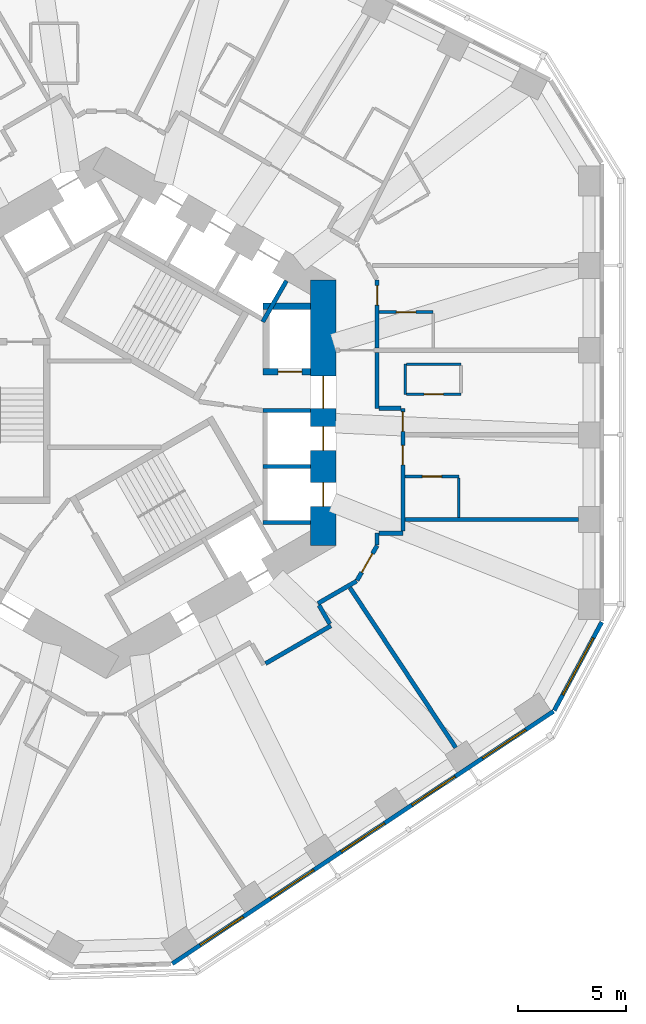
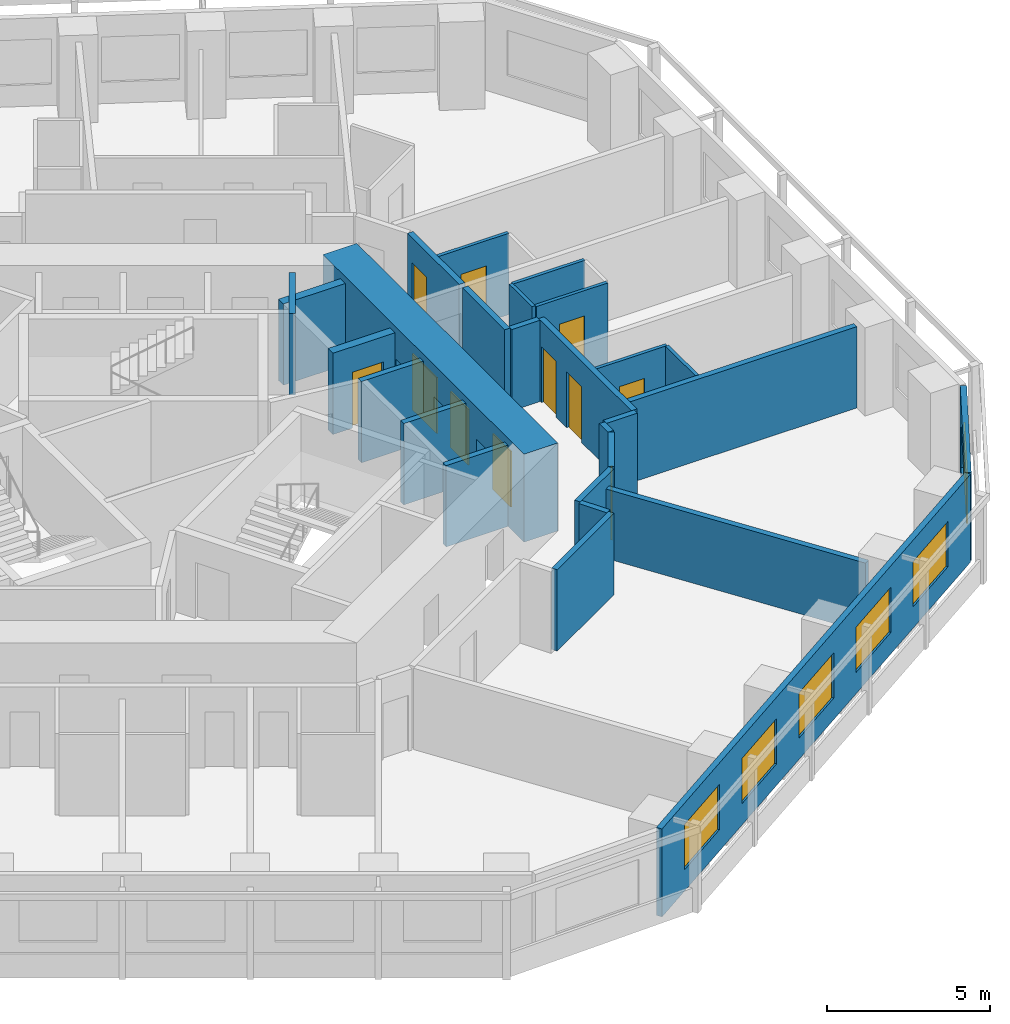
# One storey, part 6 of 12: 27 walls, 11 doors, 6 windows, 17 openings.
"""IFC4 building model written with IfcOpenShell, lengths in metres."""

from ifc_helpers import new_model, si_unit, direction, frame, frame_2d, origin, place, context, subcontext, project, spatial, rectangle, extrude, material, layer, layer_set, type_object, element, fill, save


model = new_model("IFC4")

# Units and contexts
model_context = context("Model", 3, precision=1e-05, world=origin(), true_north=direction((0.0, 1.0)))
body_context = subcontext(model_context, "Body", "Model", "MODEL_VIEW")
ifc_project = project(units=[si_unit("LENGTHUNIT", "METRE"), si_unit("AREAUNIT", "SQUARE_METRE"), si_unit("VOLUMEUNIT", "CUBIC_METRE"), si_unit("PLANEANGLEUNIT", "RADIAN"), si_unit("MASSUNIT", "GRAM", prefix="KILO")], contexts=[model_context])

# Site, building, storey
site_placement = place(None, origin())
site = spatial("IfcSite", under=ifc_project, at=site_placement, CompositionType="ELEMENT")
building_placement = place(site_placement, origin())
building = spatial("IfcBuilding", under=site, at=building_placement, Name="Vanh Sen Convention Tower", CompositionType="ELEMENT")
storey_placement = place(building_placement, frame((0.0, 0.0, 90.199951171875)))
storey = spatial("IfcBuildingStorey", under=building, at=storey_placement, Name="L20", CompositionType="ELEMENT", Elevation=90.199951171875)

# Wall, opening, door
ifc_material_1 = material(Name="Moisture-resistant gypsum board on steel studs", Category="steel")
ifc_layer_1 = layer(ifc_material_1, 0.1201171875)
ifc_layer_set_1 = layer_set([ifc_layer_1], Name="Moisture-resistant gypsum board on steel studs")
wall_type_1 = type_object("IfcWallType", Name="Bathroom partition 120", PredefinedType="PARTITIONING", material=ifc_layer_set_1)
wall_1_placement = place(storey_placement, frame((12.699951171875, 4.677490234375, 0.0), z_axis=(0.0, 0.0, 1.0), x_axis=(1.0, 0.0, 0.0)))
wall_1 = element("IfcWall", 1, at=wall_1_placement, inside=storey, type_object=wall_type_1, Name="Bathroom partition 120", PredefinedType="PARTITIONING", context=body_context, shape_type="SweptSolid", body=[
    extrude(rectangle(XDim=2.5, YDim=0.1201171875, at=frame_2d((1.25, 0.0))), origin(), (0.0, 0.0, 1.0), 3.050048828125),
])
opening_1_placement = place(wall_1_placement, frame((0.800048828125, 0.0, 0.0)))
opening_1 = element("IfcOpeningElement", 2, at=opening_1_placement, cuts=wall_1, Name="Opening D19106", PredefinedType="OPENING", context=body_context, shape_type="SweptSolid", body=[
    extrude(rectangle(XDim=0.89990234375, YDim=2.10009765625, at=frame_2d((0.449951171875, 1.050048828125))), frame((0.0, 0.070068359375, 0.0), z_axis=(0.0, -1.0, 0.0), x_axis=(1.0, 0.0, 0.0)), (0.0, 0.0, 1.0), 0.14013671875),
])
ifc_material_2 = material(Name="Laminate door in steel frame", Category="steel")
door_type_1 = type_object("IfcDoorType", Name="En-suite door 900", OperationType="SINGLE_SWING_LEFT", PredefinedType="DOOR", material=ifc_material_2)
door_1_placement = place(opening_1_placement, origin())
door_1 = element("IfcDoor", 3, at=door_1_placement, inside=storey, type_object=door_type_1, Name="En-suite door D19106", OperationType="SINGLE_SWING_LEFT", OverallHeight=2.10009765625, OverallWidth=0.89990234375, PredefinedType="DOOR", context=body_context, shape_type="SweptSolid", body=[
    extrude(rectangle(XDim=0.89990234375, YDim=2.10009765625, at=frame_2d((0.449951171875, 1.050048828125))), frame((0.0, 0.02490234375, 0.0), z_axis=(0.0, -1.0, 0.0), x_axis=(1.0, 0.0, 0.0)), (0.0, 0.0, 1.0), 0.050048828125),
])
fill(opening_1, door_1)

wall_2_placement = place(storey_placement, frame((13.90087890625, -2.964599609375, 0.0), z_axis=(0.0, 0.0, 1.0), x_axis=(1.0, 0.0, 0.0)))
wall_2 = element("IfcWall", 4, at=wall_2_placement, inside=storey, type_object=wall_type_1, Name="Bathroom partition 120", PredefinedType="PARTITIONING", context=body_context, shape_type="SweptSolid", body=[
    extrude(rectangle(XDim=2.5, YDim=0.1201171875, at=frame_2d((1.25, 0.0))), origin(), (0.0, 0.0, 1.0), 3.050048828125),
])
opening_2_placement = place(wall_2_placement, frame((0.800048828125, 0.0, 0.0)))
opening_2 = element("IfcOpeningElement", 5, at=opening_2_placement, cuts=wall_2, Name="Opening D19102", PredefinedType="OPENING", context=body_context, shape_type="SweptSolid", body=[
    extrude(rectangle(XDim=0.89990234375, YDim=2.10009765625, at=frame_2d((0.449951171875, 1.050048828125))), frame((0.0, 0.070068359375, 0.0), z_axis=(0.0, -1.0, 0.0), x_axis=(1.0, 0.0, 0.0)), (0.0, 0.0, 1.0), 0.14013671875),
])
door_2_placement = place(opening_2_placement, origin())
door_2 = element("IfcDoor", 6, at=door_2_placement, inside=storey, type_object=door_type_1, Name="En-suite door D19102", OperationType="SINGLE_SWING_LEFT", OverallHeight=2.10009765625, OverallWidth=0.89990234375, PredefinedType="DOOR", context=body_context, shape_type="SweptSolid", body=[
    extrude(rectangle(XDim=0.89990234375, YDim=2.10009765625, at=frame_2d((0.449951171875, 1.050048828125))), frame((0.0, 0.02490234375, 0.0), z_axis=(0.0, -1.0, 0.0), x_axis=(1.0, 0.0, 0.0)), (0.0, 0.0, 1.0), 0.050048828125),
])
fill(opening_2, door_2)

# Walls
wall_3_placement = place(storey_placement, frame((13.89990234375, 0.852783203125, 0.0), z_axis=(0.0, 0.0, 1.0), x_axis=(0.0, 1.0, 0.0)))
element("IfcWall", 7, at=wall_3_placement, inside=storey, type_object=wall_type_1, Name="Bathroom partition 120", PredefinedType="PARTITIONING", context=body_context, shape_type="SweptSolid", body=[
    extrude(rectangle(XDim=1.39990234375, YDim=0.1201171875, at=frame_2d((0.699951171875, 0.0))), origin(), (0.0, 0.0, 1.0), 3.050048828125),
])
wall_4_placement = place(storey_placement, frame((13.9599609375, 2.252685546875, 0.0), z_axis=(0.0, 0.0, 1.0), x_axis=(1.0, 0.0, 0.0)))
element("IfcWall", 8, at=wall_4_placement, inside=storey, type_object=wall_type_1, Name="Bathroom partition 120", PredefinedType="PARTITIONING", context=body_context, shape_type="SweptSolid", body=[
    extrude(rectangle(XDim=2.5400390625, YDim=0.1201171875, at=frame_2d((1.27001953125, 0.0))), origin(), (0.0, 0.0, 1.0), 3.050048828125),
])
wall_5_placement = place(storey_placement, frame((16.40087890625, -3.024658203125, 0.0), z_axis=(0.0, 0.0, 1.0), x_axis=(0.0, -1.0, 0.0)))
element("IfcWall", 9, at=wall_5_placement, inside=storey, type_object=wall_type_1, Name="Bathroom partition 120", PredefinedType="PARTITIONING", context=body_context, shape_type="SweptSolid", body=[
    extrude(rectangle(XDim=1.83984375, YDim=0.1201171875, at=frame_2d((0.919921875, 0.0))), origin(), (0.0, 0.0, 1.0), 3.050048828125),
])

# Wall, opening, door
wall_6_placement = place(storey_placement, frame((16.5, 0.852783203125, 0.0), z_axis=(0.0, 0.0, 1.0), x_axis=(-1.0, 0.0, 0.0)))
wall_6 = element("IfcWall", 10, at=wall_6_placement, inside=storey, type_object=wall_type_1, Name="Bathroom partition 120", PredefinedType="PARTITIONING", context=body_context, shape_type="SweptSolid", body=[
    extrude(rectangle(XDim=2.5400390625, YDim=0.1201171875, at=frame_2d((1.27001953125, 0.0))), origin(), (0.0, 0.0, 1.0), 3.050048828125),
])
opening_3_placement = place(wall_6_placement, frame((0.820068359375, 0.0, 0.0)))
opening_3 = element("IfcOpeningElement", 11, at=opening_3_placement, cuts=wall_6, Name="Opening D19104", PredefinedType="OPENING", context=body_context, shape_type="SweptSolid", body=[
    extrude(rectangle(XDim=0.89990234375, YDim=2.10009765625, at=frame_2d((0.449951171875, 1.050048828125))), frame((0.0, 0.070068359375, 0.0), z_axis=(0.0, -1.0, 0.0), x_axis=(1.0, 0.0, 0.0)), (0.0, 0.0, 1.0), 0.14013671875),
])
door_3_placement = place(opening_3_placement, origin())
door_3 = element("IfcDoor", 12, at=door_3_placement, inside=storey, type_object=door_type_1, Name="En-suite door D19104", OperationType="SINGLE_SWING_LEFT", OverallHeight=2.10009765625, OverallWidth=0.89990234375, PredefinedType="DOOR", context=body_context, shape_type="SweptSolid", body=[
    extrude(rectangle(XDim=0.89990234375, YDim=2.10009765625, at=frame_2d((0.449951171875, 1.050048828125))), frame((0.0, 0.02490234375, 0.0), z_axis=(0.0, -1.0, 0.0), x_axis=(1.0, 0.0, 0.0)), (0.0, 0.0, 1.0), 0.050048828125),
])
fill(opening_3, door_3)

# Wall, openings, doors
ifc_material_3 = material(Name="Concrete C80/95", Category="concrete")
ifc_layer_2 = layer(ifc_material_3, 1.199951171875)
ifc_layer_set_2 = layer_set([ifc_layer_2], Name="Concrete C80/95")
wall_type_2 = type_object("IfcWallType", Name="Core outer wall 1200 C80/95", PredefinedType="SHEAR", material=ifc_layer_set_2)
wall_7_placement = place(storey_placement, frame((10.10009765625, -6.177490234375, 0.0), z_axis=(0.0, 0.0, 1.0), x_axis=(0.0, 1.0, 0.0)))
wall_7 = element("IfcWall", 13, at=wall_7_placement, inside=storey, type_object=wall_type_2, Name="Core wall face E L20", PredefinedType="SHEAR", context=body_context, shape_type="SweptSolid", body=[
    extrude(rectangle(XDim=12.35498046875, YDim=1.199951171875, at=frame_2d((6.177490234375, 0.0))), origin(), (0.0, 0.0, 1.0), 3.300048828125),
])
opening_4_placement = place(wall_7_placement, frame((6.377685546875, 0.0, 0.0)))
opening_4 = element("IfcOpeningElement", 14, at=opening_4_placement, cuts=wall_7, Name="Opening D19001", PredefinedType="OPENING", context=body_context, shape_type="SweptSolid", body=[
    extrude(rectangle(XDim=1.5, YDim=2.10009765625, at=frame_2d((0.75, 1.050048828125))), frame((0.0, 0.60986328125, 0.0), z_axis=(0.0, -1.0, 0.0), x_axis=(1.0, 0.0, 0.0)), (0.0, 0.0, 1.0), 1.219970703125),
])
opening_5_placement = place(wall_7_placement, frame((1.82763671875, 0.0, 0.0)))
opening_5 = element("IfcOpeningElement", 15, at=opening_5_placement, cuts=wall_7, Name="Opening LD-LR1", PredefinedType="OPENING", context=body_context, shape_type="SweptSolid", body=[
    extrude(rectangle(XDim=1.10009765625, YDim=2.10009765625, at=frame_2d((0.550048828125, 1.050048828125))), frame((0.0, 0.60986328125, 0.0), z_axis=(0.0, -1.0, 0.0), x_axis=(1.0, 0.0, 0.0)), (0.0, 0.0, 1.0), 1.219970703125),
])
opening_6_placement = place(wall_7_placement, frame((4.427490234375, 0.0, 0.0)))
opening_6 = element("IfcOpeningElement", 16, at=opening_6_placement, cuts=wall_7, Name="Opening LD-LR2", PredefinedType="OPENING", context=body_context, shape_type="SweptSolid", body=[
    extrude(rectangle(XDim=1.10009765625, YDim=2.10009765625, at=frame_2d((0.550048828125, 1.050048828125))), frame((0.0, 0.60986328125, 0.0), z_axis=(0.0, -1.0, 0.0), x_axis=(1.0, 0.0, 0.0)), (0.0, 0.0, 1.0), 1.219970703125),
])
ifc_material_4 = material(Name="Stainless steel", Category="steel")
door_type_2 = type_object("IfcDoorType", Name="Lift landing door 1100", OperationType="DOUBLE_DOOR_SLIDING", PredefinedType="DOOR", material=ifc_material_4)
door_4_placement = place(opening_5_placement, origin())
door_4 = element("IfcDoor", 17, at=door_4_placement, inside=storey, type_object=door_type_2, Name="Lift LR1 landing door LD-LR1", OperationType="DOUBLE_DOOR_SLIDING", OverallHeight=2.10009765625, OverallWidth=1.10009765625, PredefinedType="DOOR", context=body_context, shape_type="SweptSolid", body=[
    extrude(rectangle(XDim=1.10009765625, YDim=2.10009765625, at=frame_2d((0.550048828125, 1.050048828125))), frame((0.0, 0.02490234375, 0.0), z_axis=(0.0, -1.0, 0.0), x_axis=(1.0, 0.0, 0.0)), (0.0, 0.0, 1.0), 0.050048828125),
])
fill(opening_5, door_4)
door_5_placement = place(opening_6_placement, origin())
door_5 = element("IfcDoor", 18, at=door_5_placement, inside=storey, type_object=door_type_2, Name="Lift LR2 landing door LD-LR2", OperationType="DOUBLE_DOOR_SLIDING", OverallHeight=2.10009765625, OverallWidth=1.10009765625, PredefinedType="DOOR", context=body_context, shape_type="SweptSolid", body=[
    extrude(rectangle(XDim=1.10009765625, YDim=2.10009765625, at=frame_2d((0.550048828125, 1.050048828125))), frame((0.0, 0.02490234375, 0.0), z_axis=(0.0, -1.0, 0.0), x_axis=(1.0, 0.0, 0.0)), (0.0, 0.0, 1.0), 0.050048828125),
])
fill(opening_6, door_5)
ifc_material_5 = material(Name="Steel S355", Category="steel")
door_type_3 = type_object("IfcDoorType", Name="Stair lobby door 1500", OperationType="DOUBLE_DOOR_SINGLE_SWING", PredefinedType="DOOR", material=ifc_material_5)
door_6_placement = place(opening_4_placement, origin())
door_6 = element("IfcDoor", 19, at=door_6_placement, inside=storey, type_object=door_type_3, Name="Stair lobby door D19001", OperationType="DOUBLE_DOOR_SINGLE_SWING", OverallHeight=2.10009765625, OverallWidth=1.5, PredefinedType="DOOR", context=body_context, shape_type="SweptSolid", body=[
    extrude(rectangle(XDim=1.5, YDim=2.10009765625, at=frame_2d((0.75, 1.050048828125))), frame((0.0, 0.02490234375, 0.0), z_axis=(0.0, -1.0, 0.0), x_axis=(1.0, 0.0, 0.0)), (0.0, 0.0, 1.0), 0.050048828125),
])
fill(opening_4, door_6)

# Walls
ifc_material_6 = material(Name="Gypsum board on steel studs with mineral wool", Category="steel")
ifc_layer_3 = layer(ifc_material_6, 0.199951171875)
ifc_layer_set_3 = layer_set([ifc_layer_3], Name="Gypsum board on steel studs with mineral wool")
wall_type_3 = type_object("IfcWallType", Name="Corridor partition wall 200", PredefinedType="PARTITIONING", material=ifc_layer_set_3)
wall_8_placement = place(storey_placement, frame((7.419189453125, -11.652587890625, 0.0), z_axis=(0.0, 0.0, 1.0), x_axis=(0.866038154057, 0.49997791523, 0.0)))
element("IfcWall", 20, at=wall_8_placement, inside=storey, type_object=wall_type_3, Name="Corridor partition wall 200", PredefinedType="PARTITIONING", context=body_context, shape_type="SweptSolid", body=[
    extrude(rectangle(XDim=3.502197265625, YDim=0.199951171875, at=frame_2d((1.7509765625, 0.0))), origin(), (0.0, 0.0, 1.0), 3.050048828125),
])
wall_9_placement = place(storey_placement, frame((9.8515625, -8.861328125, 0.0), z_axis=(0.0, 0.0, 1.0), x_axis=(0.866013291437, 0.500020978615, 0.0)))
element("IfcWall", 21, at=wall_9_placement, inside=storey, type_object=wall_type_3, Name="Corridor partition wall 200", PredefinedType="PARTITIONING", context=body_context, shape_type="SweptSolid", body=[
    extrude(rectangle(XDim=2.07666015625, YDim=0.199951171875, at=frame_2d((1.038330078125, 0.0))), origin(), (0.0, 0.0, 1.0), 3.050048828125),
])
wall_10_placement = place(storey_placement, frame((10.402099609375, -9.81494140625, 0.0), z_axis=(0.0, 0.0, 1.0), x_axis=(-0.499968756647, 0.866043441391, 0.0)))
element("IfcWall", 22, at=wall_10_placement, inside=storey, type_object=wall_type_3, Name="Corridor partition wall 200", PredefinedType="PARTITIONING", context=body_context, shape_type="SweptSolid", body=[
    extrude(rectangle(XDim=1.0009765625, YDim=0.199951171875, at=frame_2d((0.50048828125, 0.0))), origin(), (0.0, 0.0, 1.0), 3.050048828125),
])

# Wall, opening, door
wall_11_placement = place(storey_placement, frame((11.669921875, -7.788330078125, 0.0), z_axis=(0.0, 0.0, 1.0), x_axis=(0.500063286585, 0.865988862174, 0.0)))
wall_11 = element("IfcWall", 23, at=wall_11_placement, inside=storey, type_object=wall_type_3, Name="Corridor partition wall 200", PredefinedType="PARTITIONING", context=body_context, shape_type="SweptSolid", body=[
    extrude(rectangle(XDim=1.860107421875, YDim=0.199951171875, at=frame_2d((0.93017578125, 0.0))), origin(), (0.0, 0.0, 1.0), 3.050048828125),
])
opening_7_placement = place(wall_11_placement, frame((0.429931640625, 0.0, 0.0)))
opening_7 = element("IfcOpeningElement", 24, at=opening_7_placement, cuts=wall_11, Name="Opening D19139", PredefinedType="OPENING", context=body_context, shape_type="SweptSolid", body=[
    extrude(rectangle(XDim=1.0, YDim=2.10009765625, at=frame_2d((0.5, 1.050048828125))), frame((0.0, 0.10986328125, 0.0), z_axis=(0.0, -1.0, 0.0), x_axis=(1.0, 0.0, 0.0)), (0.0, 0.0, 1.0), 0.219970703125),
])
ifc_material_7 = material(Name="Timber fire door in steel frame", Category="steel")
door_type_4 = type_object("IfcDoorType", Name="Floor room door 1000", OperationType="SINGLE_SWING_LEFT", PredefinedType="DOOR", material=ifc_material_7)
door_7_placement = place(opening_7_placement, origin())
door_7 = element("IfcDoor", 25, at=door_7_placement, inside=storey, type_object=door_type_4, Name="Meeting and amenity room door D19139", OperationType="SINGLE_SWING_LEFT", OverallHeight=2.10009765625, OverallWidth=1.0, PredefinedType="DOOR", context=body_context, shape_type="SweptSolid", body=[
    extrude(rectangle(XDim=1.0, YDim=2.10009765625, at=frame_2d((0.5, 1.050048828125))), frame((0.0, 0.02490234375, 0.0), z_axis=(0.0, -1.0, 0.0), x_axis=(1.0, 0.0, 0.0)), (0.0, 0.0, 1.0), 0.050048828125),
])
fill(opening_7, door_7)

# Walls
wall_12_placement = place(storey_placement, frame((12.60009765625, -6.1376953125, 0.0), z_axis=(0.0, 0.0, 1.0), x_axis=(0.0, 1.0, 0.0)))
element("IfcWall", 26, at=wall_12_placement, inside=storey, type_object=wall_type_3, Name="Corridor partition wall 200", PredefinedType="PARTITIONING", context=body_context, shape_type="SweptSolid", body=[
    extrude(rectangle(XDim=0.53662109375, YDim=0.199951171875, at=frame_2d((0.268310546875, 0.0))), origin(), (0.0, 0.0, 1.0), 3.050048828125),
])
wall_13_placement = place(storey_placement, frame((12.60009765625, 0.200927734375, 0.0), z_axis=(0.0, 0.0, 1.0), x_axis=(0.0, 1.0, 0.0)))
element("IfcWall", 27, at=wall_13_placement, inside=storey, type_object=wall_type_3, Name="Corridor partition wall 200", PredefinedType="PARTITIONING", context=body_context, shape_type="SweptSolid", body=[
    extrude(rectangle(XDim=2.603515625, YDim=0.199951171875, at=frame_2d((1.3017578125, 0.0))), origin(), (0.0, 0.0, 1.0), 3.050048828125),
])

# Wall, opening, door
wall_14_placement = place(storey_placement, frame((12.60009765625, 3.00439453125, 0.0), z_axis=(0.0, 0.0, 1.0), x_axis=(0.0, 1.0, 0.0)))
wall_14 = element("IfcWall", 28, at=wall_14_placement, inside=storey, type_object=wall_type_3, Name="Corridor partition wall 200", PredefinedType="PARTITIONING", context=body_context, shape_type="SweptSolid", body=[
    extrude(rectangle(XDim=3.173095703125, YDim=0.199951171875, at=frame_2d((1.58642578125, 0.0))), origin(), (0.0, 0.0, 1.0), 3.050048828125),
])
opening_8_placement = place(wall_14_placement, frame((1.998046875, 0.0, 0.0)))
opening_8 = element("IfcOpeningElement", 29, at=opening_8_placement, cuts=wall_14, Name="Opening D19105", PredefinedType="OPENING", context=body_context, shape_type="SweptSolid", body=[
    extrude(rectangle(XDim=0.89990234375, YDim=2.10009765625, at=frame_2d((0.449951171875, 1.050048828125))), frame((0.0, 0.10986328125, 0.0), z_axis=(0.0, -1.0, 0.0), x_axis=(1.0, 0.0, 0.0)), (0.0, 0.0, 1.0), 0.219970703125),
])
door_type_5 = type_object("IfcDoorType", Name="Guest room door 900", OperationType="SINGLE_SWING_LEFT", PredefinedType="DOOR", material=ifc_material_7)
door_8_placement = place(opening_8_placement, origin())
door_8 = element("IfcDoor", 30, at=door_8_placement, inside=storey, type_object=door_type_5, Name="Hotel guest room door D19105", OperationType="SINGLE_SWING_LEFT", OverallHeight=2.10009765625, OverallWidth=0.89990234375, PredefinedType="DOOR", context=body_context, shape_type="SweptSolid", body=[
    extrude(rectangle(XDim=0.89990234375, YDim=2.10009765625, at=frame_2d((0.449951171875, 1.050048828125))), frame((0.0, 0.02490234375, 0.0), z_axis=(0.0, -1.0, 0.0), x_axis=(1.0, 0.0, 0.0)), (0.0, 0.0, 1.0), 0.050048828125),
])
fill(opening_8, door_8)

# Walls
wall_15_placement = place(storey_placement, frame((12.699951171875, -5.60107421875, 0.0), z_axis=(0.0, 0.0, 1.0), x_axis=(1.0, 0.0, 0.0)))
element("IfcWall", 31, at=wall_15_placement, inside=storey, type_object=wall_type_3, Name="Corridor partition wall 200", PredefinedType="PARTITIONING", context=body_context, shape_type="SweptSolid", body=[
    extrude(rectangle(XDim=1.10107421875, YDim=0.199951171875, at=frame_2d((0.550537109375, 0.0))), origin(), (0.0, 0.0, 1.0), 3.050048828125),
])
wall_16_placement = place(storey_placement, frame((13.700927734375, 0.200927734375, 0.0), z_axis=(0.0, 0.0, 1.0), x_axis=(-1.0, 0.0, 0.0)))
element("IfcWall", 32, at=wall_16_placement, inside=storey, type_object=wall_type_3, Name="Corridor partition wall 200", PredefinedType="PARTITIONING", context=body_context, shape_type="SweptSolid", body=[
    extrude(rectangle(XDim=1.0009765625, YDim=0.199951171875, at=frame_2d((0.50048828125, 0.0))), origin(), (0.0, 0.0, 1.0), 3.050048828125),
])

# Wall, openings, doors
wall_17_placement = place(storey_placement, frame((13.801025390625, -5.5009765625, 0.0), z_axis=(0.0, 0.0, 1.0), x_axis=(0.0, 1.0, 0.0)))
wall_17 = element("IfcWall", 33, at=wall_17_placement, inside=storey, type_object=wall_type_3, Name="Corridor partition wall 200", PredefinedType="PARTITIONING", context=body_context, shape_type="SweptSolid", body=[
    extrude(rectangle(XDim=5.701904296875, YDim=0.199951171875, at=frame_2d((2.85107421875, 0.0))), origin(), (0.0, 0.0, 1.0), 3.050048828125),
])
opening_9_placement = place(wall_17_placement, frame((3.07861328125, 0.0, 0.0)))
opening_9 = element("IfcOpeningElement", 34, at=opening_9_placement, cuts=wall_17, Name="Opening D19101", PredefinedType="OPENING", context=body_context, shape_type="SweptSolid", body=[
    extrude(rectangle(XDim=0.89990234375, YDim=2.10009765625, at=frame_2d((0.449951171875, 1.050048828125))), frame((0.0, 0.10986328125, 0.0), z_axis=(0.0, -1.0, 0.0), x_axis=(1.0, 0.0, 0.0)), (0.0, 0.0, 1.0), 0.219970703125),
])
opening_10_placement = place(wall_17_placement, frame((4.636474609375, 0.0, 0.0)))
opening_10 = element("IfcOpeningElement", 35, at=opening_10_placement, cuts=wall_17, Name="Opening D19103", PredefinedType="OPENING", context=body_context, shape_type="SweptSolid", body=[
    extrude(rectangle(XDim=0.89990234375, YDim=2.10009765625, at=frame_2d((0.449951171875, 1.050048828125))), frame((0.0, 0.10986328125, 0.0), z_axis=(0.0, -1.0, 0.0), x_axis=(1.0, 0.0, 0.0)), (0.0, 0.0, 1.0), 0.219970703125),
])
door_9_placement = place(opening_9_placement, origin())
door_9 = element("IfcDoor", 36, at=door_9_placement, inside=storey, type_object=door_type_5, Name="Hotel guest room door D19101", OperationType="SINGLE_SWING_LEFT", OverallHeight=2.10009765625, OverallWidth=0.89990234375, PredefinedType="DOOR", context=body_context, shape_type="SweptSolid", body=[
    extrude(rectangle(XDim=0.89990234375, YDim=2.10009765625, at=frame_2d((0.449951171875, 1.050048828125))), frame((0.0, 0.02490234375, 0.0), z_axis=(0.0, -1.0, 0.0), x_axis=(1.0, 0.0, 0.0)), (0.0, 0.0, 1.0), 0.050048828125),
])
fill(opening_9, door_9)
door_10_placement = place(opening_10_placement, origin())
door_10 = element("IfcDoor", 37, at=door_10_placement, inside=storey, type_object=door_type_5, Name="Hotel guest room door D19103", OperationType="SINGLE_SWING_LEFT", OverallHeight=2.10009765625, OverallWidth=0.89990234375, PredefinedType="DOOR", context=body_context, shape_type="SweptSolid", body=[
    extrude(rectangle(XDim=0.89990234375, YDim=2.10009765625, at=frame_2d((0.449951171875, 1.050048828125))), frame((0.0, 0.02490234375, 0.0), z_axis=(0.0, -1.0, 0.0), x_axis=(1.0, 0.0, 0.0)), (0.0, 0.0, 1.0), 0.050048828125),
])
fill(opening_10, door_10)

# Wall, openings, windows
ifc_material_8 = material(Name="Insulated lightweight infill wall")
ifc_layer_4 = layer(ifc_material_8, 0.199951171875)
ifc_layer_set_4 = layer_set([ifc_layer_4], Name="Insulated lightweight infill wall")
wall_type_4 = type_object("IfcWallType", Name="External wall 200", PredefinedType="STANDARD", material=ifc_layer_set_4)
wall_18_placement = place(storey_placement, frame((3.0830078125, -25.60107421875, 0.0), z_axis=(0.0, 0.0, 1.0), x_axis=(0.833884295743, 0.551939291329, 0.0)))
wall_18 = element("IfcWall", 38, at=wall_18_placement, inside=storey, type_object=wall_type_4, Name="External wall SE L20", PredefinedType="STANDARD", context=body_context, shape_type="SweptSolid", body=[
    extrude(rectangle(XDim=21.24609375, YDim=0.199951171875, at=frame_2d((10.623046875, 0.0))), origin(), (0.0, 0.0, 1.0), 3.300048828125),
])
opening_11_placement = place(wall_18_placement, frame((1.552978515625, 0.0, 0.800048828125)))
opening_11 = element("IfcOpeningElement", 39, at=opening_11_placement, cuts=wall_18, Name="Opening WH1-SE1", PredefinedType="OPENING", context=body_context, shape_type="SweptSolid", body=[
    extrude(rectangle(XDim=2.39990234375, YDim=1.699951171875, at=frame_2d((1.199951171875, 0.85009765625))), frame((0.0, 0.10986328125, 0.0), z_axis=(0.0, -1.0, 0.0), x_axis=(1.0, 0.0, 0.0)), (0.0, 0.0, 1.0), 0.219970703125),
])
opening_12_placement = place(wall_18_placement, frame((5.487548828125, 0.0, 0.800048828125)))
opening_12 = element("IfcOpeningElement", 40, at=opening_12_placement, cuts=wall_18, Name="Opening WH1-SE2", PredefinedType="OPENING", context=body_context, shape_type="SweptSolid", body=[
    extrude(rectangle(XDim=2.39990234375, YDim=1.699951171875, at=frame_2d((1.199951171875, 0.85009765625))), frame((0.0, 0.10986328125, 0.0), z_axis=(0.0, -1.0, 0.0), x_axis=(1.0, 0.0, 0.0)), (0.0, 0.0, 1.0), 0.219970703125),
])
opening_13_placement = place(wall_18_placement, frame((9.422119140625, 0.0, 0.800048828125)))
opening_13 = element("IfcOpeningElement", 41, at=opening_13_placement, cuts=wall_18, Name="Opening WH1-SE3", PredefinedType="OPENING", context=body_context, shape_type="SweptSolid", body=[
    extrude(rectangle(XDim=2.39990234375, YDim=1.699951171875, at=frame_2d((1.199951171875, 0.85009765625))), frame((0.0, 0.10986328125, 0.0), z_axis=(0.0, -1.0, 0.0), x_axis=(1.0, 0.0, 0.0)), (0.0, 0.0, 1.0), 0.219970703125),
])
opening_14_placement = place(wall_18_placement, frame((13.356689453125, 0.0, 0.800048828125)))
opening_14 = element("IfcOpeningElement", 42, at=opening_14_placement, cuts=wall_18, Name="Opening WH1-SE4", PredefinedType="OPENING", context=body_context, shape_type="SweptSolid", body=[
    extrude(rectangle(XDim=2.39990234375, YDim=1.699951171875, at=frame_2d((1.199951171875, 0.85009765625))), frame((0.0, 0.10986328125, 0.0), z_axis=(0.0, -1.0, 0.0), x_axis=(1.0, 0.0, 0.0)), (0.0, 0.0, 1.0), 0.219970703125),
])
opening_15_placement = place(wall_18_placement, frame((17.291259765625, 0.0, 0.800048828125)))
opening_15 = element("IfcOpeningElement", 43, at=opening_15_placement, cuts=wall_18, Name="Opening WH1-SE5", PredefinedType="OPENING", context=body_context, shape_type="SweptSolid", body=[
    extrude(rectangle(XDim=2.39990234375, YDim=1.699951171875, at=frame_2d((1.199951171875, 0.85009765625))), frame((0.0, 0.10986328125, 0.0), z_axis=(0.0, -1.0, 0.0), x_axis=(1.0, 0.0, 0.0)), (0.0, 0.0, 1.0), 0.219970703125),
])
ifc_material_9 = material(Name="Aluminium frame with clear low-emissivity glass", Category="aluminium")
window_type_1 = type_object("IfcWindowType", Name="Hotel window 2400 x 1700", PartitioningType="SINGLE_PANEL", PredefinedType="WINDOW", material=ifc_material_9)
window_1_placement = place(opening_11_placement, origin())
window_1 = element("IfcWindow", 44, at=window_1_placement, inside=storey, type_object=window_type_1, Name="Window WH1-SE1", OverallHeight=1.699951171875, OverallWidth=2.39990234375, PartitioningType="SINGLE_PANEL", PredefinedType="WINDOW", context=body_context, shape_type="SweptSolid", body=[
    extrude(rectangle(XDim=2.39990234375, YDim=1.699951171875, at=frame_2d((1.199951171875, 0.85009765625))), frame((0.0, 0.030029296875, 0.0), z_axis=(0.0, -1.0, 0.0), x_axis=(1.0, 0.0, 0.0)), (0.0, 0.0, 1.0), 0.06005859375),
])
fill(opening_11, window_1)
window_2_placement = place(opening_12_placement, origin())
window_2 = element("IfcWindow", 45, at=window_2_placement, inside=storey, type_object=window_type_1, Name="Window WH1-SE2", OverallHeight=1.699951171875, OverallWidth=2.39990234375, PartitioningType="SINGLE_PANEL", PredefinedType="WINDOW", context=body_context, shape_type="SweptSolid", body=[
    extrude(rectangle(XDim=2.39990234375, YDim=1.699951171875, at=frame_2d((1.199951171875, 0.85009765625))), frame((0.0, 0.030029296875, 0.0), z_axis=(0.0, -1.0, 0.0), x_axis=(1.0, 0.0, 0.0)), (0.0, 0.0, 1.0), 0.06005859375),
])
fill(opening_12, window_2)
window_3_placement = place(opening_13_placement, origin())
window_3 = element("IfcWindow", 46, at=window_3_placement, inside=storey, type_object=window_type_1, Name="Window WH1-SE3", OverallHeight=1.699951171875, OverallWidth=2.39990234375, PartitioningType="SINGLE_PANEL", PredefinedType="WINDOW", context=body_context, shape_type="SweptSolid", body=[
    extrude(rectangle(XDim=2.39990234375, YDim=1.699951171875, at=frame_2d((1.199951171875, 0.85009765625))), frame((0.0, 0.030029296875, 0.0), z_axis=(0.0, -1.0, 0.0), x_axis=(1.0, 0.0, 0.0)), (0.0, 0.0, 1.0), 0.06005859375),
])
fill(opening_13, window_3)
window_4_placement = place(opening_14_placement, origin())
window_4 = element("IfcWindow", 47, at=window_4_placement, inside=storey, type_object=window_type_1, Name="Window WH1-SE4", OverallHeight=1.699951171875, OverallWidth=2.39990234375, PartitioningType="SINGLE_PANEL", PredefinedType="WINDOW", context=body_context, shape_type="SweptSolid", body=[
    extrude(rectangle(XDim=2.39990234375, YDim=1.699951171875, at=frame_2d((1.199951171875, 0.85009765625))), frame((0.0, 0.030029296875, 0.0), z_axis=(0.0, -1.0, 0.0), x_axis=(1.0, 0.0, 0.0)), (0.0, 0.0, 1.0), 0.06005859375),
])
fill(opening_14, window_4)
window_5_placement = place(opening_15_placement, origin())
window_5 = element("IfcWindow", 48, at=window_5_placement, inside=storey, type_object=window_type_1, Name="Window WH1-SE5", OverallHeight=1.699951171875, OverallWidth=2.39990234375, PartitioningType="SINGLE_PANEL", PredefinedType="WINDOW", context=body_context, shape_type="SweptSolid", body=[
    extrude(rectangle(XDim=2.39990234375, YDim=1.699951171875, at=frame_2d((1.199951171875, 0.85009765625))), frame((0.0, 0.030029296875, 0.0), z_axis=(0.0, -1.0, 0.0), x_axis=(1.0, 0.0, 0.0)), (0.0, 0.0, 1.0), 0.06005859375),
])
fill(opening_15, window_5)

# Wall, opening, window
wall_19_placement = place(storey_placement, frame((20.83251953125, -13.838623046875, 0.0), z_axis=(0.0, 0.0, 1.0), x_axis=(0.473321668581, 0.880889662813, 0.0)))
wall_19 = element("IfcWall", 49, at=wall_19_placement, inside=storey, type_object=wall_type_4, Name="External wall CH6 L20", PredefinedType="STANDARD", context=body_context, shape_type="SweptSolid", body=[
    extrude(rectangle(XDim=4.65966796875, YDim=0.199951171875, at=frame_2d((2.329833984375, 0.0))), origin(), (0.0, 0.0, 1.0), 3.300048828125),
])
opening_16_placement = place(wall_19_placement, frame((0.829833984375, 0.0, 0.800048828125)))
opening_16 = element("IfcOpeningElement", 50, at=opening_16_placement, cuts=wall_19, Name="Opening WH2-CH61", PredefinedType="OPENING", context=body_context, shape_type="SweptSolid", body=[
    extrude(rectangle(XDim=3.0, YDim=1.699951171875, at=frame_2d((1.5, 0.85009765625))), frame((0.0, 0.10986328125, 0.0), z_axis=(0.0, -1.0, 0.0), x_axis=(1.0, 0.0, 0.0)), (0.0, 0.0, 1.0), 0.219970703125),
])
window_type_2 = type_object("IfcWindowType", Name="Hotel window 3000 x 1700", PartitioningType="SINGLE_PANEL", PredefinedType="WINDOW", material=ifc_material_9)
window_6_placement = place(opening_16_placement, origin())
window_6 = element("IfcWindow", 51, at=window_6_placement, inside=storey, type_object=window_type_2, Name="Window WH2-CH61", OverallHeight=1.699951171875, OverallWidth=3.0, PartitioningType="SINGLE_PANEL", PredefinedType="WINDOW", context=body_context, shape_type="SweptSolid", body=[
    extrude(rectangle(XDim=3.0, YDim=1.699951171875, at=frame_2d((1.5, 0.85009765625))), frame((0.0, 0.030029296875, 0.0), z_axis=(0.0, -1.0, 0.0), x_axis=(1.0, 0.0, 0.0)), (0.0, 0.0, 1.0), 0.06005859375),
])
fill(opening_16, window_6)

# Wall, opening, door
ifc_material_10 = material(Name="Concrete C60/75", Category="concrete")
ifc_layer_5 = layer(ifc_material_10, 0.300048828125)
ifc_layer_set_5 = layer_set([ifc_layer_5], Name="Concrete C60/75")
wall_type_5 = type_object("IfcWallType", Name="Fire-fighting lift shaft wall 300", PredefinedType="SHEAR", material=ifc_layer_set_5)
wall_20_placement = place(storey_placement, frame((7.300048828125, 1.89990234375, 0.0), z_axis=(0.0, 0.0, 1.0), x_axis=(1.0, 0.0, 0.0)))
wall_20 = element("IfcWall", 52, at=wall_20_placement, inside=storey, type_object=wall_type_5, Name="Fire-fighting lift shaft wall L20", PredefinedType="SHEAR", context=body_context, shape_type="SweptSolid", body=[
    extrude(rectangle(XDim=2.199951171875, YDim=0.300048828125, at=frame_2d((1.10009765625, 0.0))), origin(), (0.0, 0.0, 1.0), 3.050048828125),
])
opening_17_placement = place(wall_20_placement, frame((0.699951171875, 0.0, 0.0)))
opening_17 = element("IfcOpeningElement", 53, at=opening_17_placement, cuts=wall_20, Name="Opening LD-FF1", PredefinedType="OPENING", context=body_context, shape_type="SweptSolid", body=[
    extrude(rectangle(XDim=1.10009765625, YDim=2.10009765625, at=frame_2d((0.550048828125, 1.050048828125))), frame((0.0, 0.159912109375, 0.0), z_axis=(0.0, -1.0, 0.0), x_axis=(1.0, 0.0, 0.0)), (0.0, 0.0, 1.0), 0.320068359375),
])
door_type_6 = type_object("IfcDoorType", Name="Fire-fighting lift landing door 1100", OperationType="DOUBLE_DOOR_SLIDING", PredefinedType="DOOR", material=ifc_material_4)
door_11_placement = place(opening_17_placement, origin())
door_11 = element("IfcDoor", 54, at=door_11_placement, inside=storey, type_object=door_type_6, Name="Lift FF1 landing door LD-FF1", OperationType="DOUBLE_DOOR_SLIDING", OverallHeight=2.10009765625, OverallWidth=1.10009765625, PredefinedType="DOOR", context=body_context, shape_type="SweptSolid", body=[
    extrude(rectangle(XDim=1.10009765625, YDim=2.10009765625, at=frame_2d((0.550048828125, 1.050048828125))), frame((0.0, 0.02490234375, 0.0), z_axis=(0.0, -1.0, 0.0), x_axis=(1.0, 0.0, 0.0)), (0.0, 0.0, 1.0), 0.050048828125),
])
fill(opening_17, door_11)

# Walls
wall_21_placement = place(storey_placement, frame((7.300048828125, 4.949951171875, 0.0), z_axis=(0.0, 0.0, 1.0), x_axis=(1.0, 0.0, 0.0)))
element("IfcWall", 55, at=wall_21_placement, inside=storey, type_object=wall_type_5, Name="Fire-fighting lift shaft wall L20", PredefinedType="SHEAR", context=body_context, shape_type="SweptSolid", body=[
    extrude(rectangle(XDim=2.199951171875, YDim=0.300048828125, at=frame_2d((1.10009765625, 0.0))), origin(), (0.0, 0.0, 1.0), 3.050048828125),
])
ifc_layer_6 = layer(ifc_material_6, 0.199951171875)
ifc_layer_set_6 = layer_set([ifc_layer_6], Name="Gypsum board on steel studs with mineral wool")
wall_type_6 = type_object("IfcWallType", Name="Hotel party wall 200", PredefinedType="PARTITIONING", material=ifc_layer_set_6)
wall_22_placement = place(storey_placement, frame((13.90087890625, -4.964599609375, 0.0), z_axis=(0.0, 0.0, 1.0), x_axis=(1.0, 0.0, 0.0)))
element("IfcWall", 56, at=wall_22_placement, inside=storey, type_object=wall_type_6, Name="Hotel party wall 200", PredefinedType="PARTITIONING", context=body_context, shape_type="SweptSolid", body=[
    extrude(rectangle(XDim=8.049072265625, YDim=0.199951171875, at=frame_2d((4.0244140625, 0.0))), origin(), (0.0, 0.0, 1.0), 3.050048828125),
])
wall_23_placement = place(storey_placement, frame((16.2548828125, -15.563720703125, 0.0), z_axis=(0.0, 0.0, 1.0), x_axis=(-0.55192208744, 0.833895682562, 0.0)))
element("IfcWall", 57, at=wall_23_placement, inside=storey, type_object=wall_type_6, Name="Hotel party wall 200", PredefinedType="PARTITIONING", context=body_context, shape_type="SweptSolid", body=[
    extrude(rectangle(XDim=8.912841796875, YDim=0.199951171875, at=frame_2d((4.45654296875, 0.0))), origin(), (0.0, 0.0, 1.0), 2.60009765625),
])
ifc_material_11 = material(Name="Concrete C40/50", Category="concrete")
ifc_layer_7 = layer(ifc_material_11, 0.199951171875)
ifc_layer_set_7 = layer_set([ifc_layer_7], Name="Concrete C40/50")
wall_type_7 = type_object("IfcWallType", Name="Lift shaft wall 200", PredefinedType="PARTITIONING", material=ifc_layer_set_7)
for number, where, z_axis, x_axis, name in (
    (58, (7.300048828125, -5.10009765625, 0.0), (0.0, 0.0, 1.0), (1.0, 0.0, 0.0), "Lift shaft wall L20"),
    (59, (7.300048828125, -2.5, 0.0), (0.0, 0.0, 1.0), (1.0, 0.0, 0.0), "Lift shaft wall L20"),
    (60, (7.300048828125, 0.10009765625, 0.0), (0.0, 0.0, 1.0), (1.0, 0.0, 0.0), "Lift shaft wall L20"),
    (61, (7.287353515625, 4.221923828125, 0.0), (0.0, 0.0, 1.0), (0.499946605688, 0.86605622881, 0.0), "Lift shaft wall L20"),
):
    element("IfcWall", number, at=place(storey_placement, frame(where, z_axis=z_axis, x_axis=x_axis)), inside=storey, type_object=wall_type_7, Name=name, PredefinedType="PARTITIONING", context=body_context, shape_type="SweptSolid", body=[
        extrude(rectangle(XDim=2.199951171875, YDim=0.199951171875, at=frame_2d((1.10009765625, 0.0))), origin(), (0.0, 0.0, 1.0), 3.050048828125),
    ])

save(model, "model.ifc")
